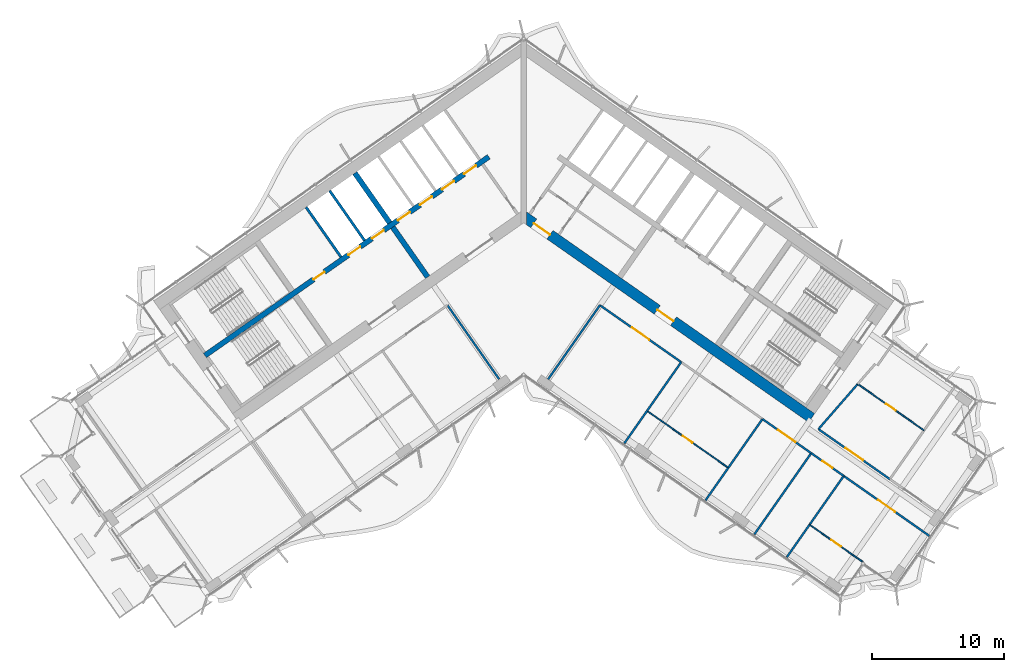
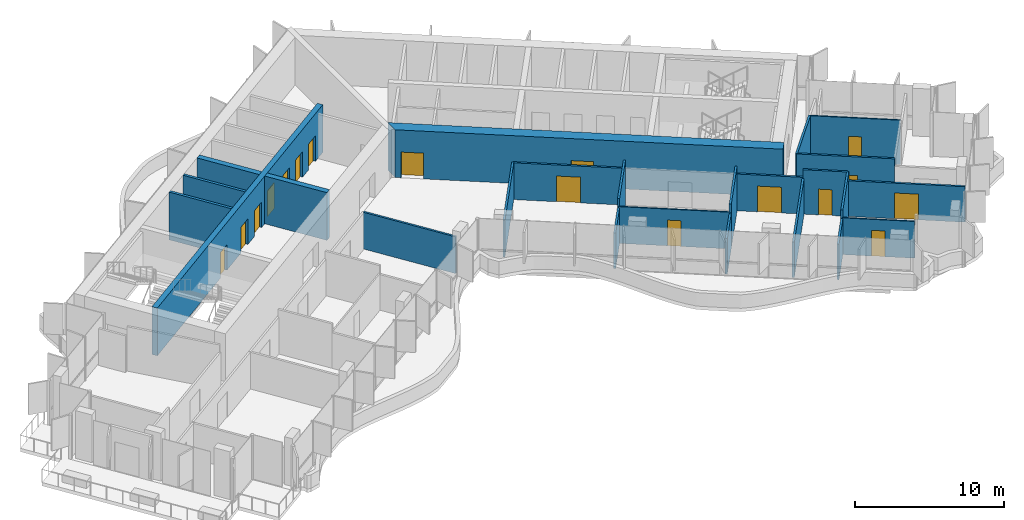
# One storey, part 13 of 22: 24 walls, 17 doors, 17 openings.
"""IFC4 building model written with IfcOpenShell, lengths in metres."""

from ifc_helpers import new_model, si_unit, direction, frame, frame_2d, origin, place, context, subcontext, project, spatial, polyline, rectangle, outline, extrude, material, layer, layer_set, type_object, element, fill, save


model = new_model("IFC4")

# Units and contexts
model_context = context("Model", 3, precision=1e-05, world=origin(), true_north=direction((0.0, 1.0)))
body_context = subcontext(model_context, "Body", "Model", "MODEL_VIEW")
ifc_project = project(units=[si_unit("LENGTHUNIT", "METRE"), si_unit("AREAUNIT", "SQUARE_METRE"), si_unit("VOLUMEUNIT", "CUBIC_METRE"), si_unit("PLANEANGLEUNIT", "RADIAN"), si_unit("MASSUNIT", "GRAM", prefix="KILO")], contexts=[model_context])

# Site, building, storey
site_placement = place(None, origin())
site = spatial("IfcSite", under=ifc_project, at=site_placement, CompositionType="ELEMENT")
building_placement = place(site_placement, origin())
building = spatial("IfcBuilding", under=site, at=building_placement, Name="Tel Ilan Convention Tower", CompositionType="ELEMENT")
storey_placement = place(building_placement, frame((0.0, 0.0, 202.199951171875)))
storey = spatial("IfcBuildingStorey", under=building, at=storey_placement, Name="L47", CompositionType="ELEMENT", Elevation=202.199951171875)

# Walls
ifc_material_1 = material(Name="Concrete C50/60", Category="concrete")
ifc_layer_1 = layer(ifc_material_1, 0.39990234375)
ifc_layer_set_1 = layer_set([ifc_layer_1], Name="Core Shear Wall 400 mm C50/60")
wall_type_1 = type_object("IfcWallType", Name="Core Shear Wall 400 mm C50/60", PredefinedType="SHEAR", material=ifc_layer_set_1)
wall_1_placement = place(storey_placement, frame((-7.2578125, -5.325927734375, 0.0), z_axis=(0.0, 0.0, 1.0), x_axis=(-0.573540709186, 0.819177059558, 0.0)))
element("IfcWall", 1, at=wall_1_placement, inside=storey, type_object=wall_type_1, Name="L47 core wall W-cross1-1", PredefinedType="SHEAR", context=body_context, shape_type="SweptSolid", body=[
    extrude(outline(polyline([(4.599853515625, 0.2001953125), (-0.000244140625, 0.199951171875), (-0.000244140625, -0.2001953125), (4.599853515625, -0.199951171875), (4.599853515625, 0.2001953125)])), origin(), (0.0, 0.0, 1.0), 3.900146484375),
])
wall_2_placement = place(storey_placement, frame((-10.12548828125, -1.230224609375, 0.0), z_axis=(0.0, 0.0, 1.0), x_axis=(-0.573576324356, 0.819152122709, 0.0)))
element("IfcWall", 2, at=wall_2_placement, inside=storey, type_object=wall_type_1, Name="L47 core wall W-cross1-2", PredefinedType="SHEAR", context=body_context, shape_type="SweptSolid", body=[
    extrude(outline(polyline([(4.60009765625, -0.199951171875), (4.599853515625, 0.199951171875), (0.0, 0.2001953125), (0.0, -0.199951171875), (4.60009765625, -0.199951171875)])), origin(), (0.0, 0.0, 1.0), 3.900146484375),
])

# Wall, openings, doors
wall_3_placement = place(storey_placement, frame((-2.638427734375, 3.76806640625, 0.0), z_axis=(0.0, 0.0, 1.0), x_axis=(-0.81915267502, -0.573575535572, 0.0)))
wall_3 = element("IfcWall", 3, at=wall_3_placement, inside=storey, type_object=wall_type_1, Name="L47 core wall W-spine", PredefinedType="SHEAR", context=body_context, shape_type="SweptSolid", body=[
    extrude(outline(polyline([(26.199951171875, 0.199951171875), (0.0, 0.199951171875), (0.0, -0.199951171875), (26.199951171875, -0.199951171875), (26.199951171875, 0.199951171875)])), origin(), (0.0, 0.0, 1.0), 3.900146484375),
])
opening_1_placement = place(wall_3_placement, frame((1.168701171875, 0.0, 0.0)))
opening_1 = element("IfcOpeningElement", 4, at=opening_1_placement, cuts=wall_3, Name="Opening LD3704", PredefinedType="OPENING", context=body_context, shape_type="SweptSolid", body=[
    extrude(rectangle(XDim=1.10009765625, YDim=2.10009765625, at=frame_2d((0.550048828125, 1.050048828125))), frame((0.0, 0.2099609375, 0.0), z_axis=(0.0, -1.0, 0.0), x_axis=(1.0, 0.0, 0.0)), (0.0, 0.0, 1.0), 0.419921875),
])
opening_2_placement = place(wall_3_placement, frame((3.206298828125, 0.0, 0.0)))
opening_2 = element("IfcOpeningElement", 5, at=opening_2_placement, cuts=wall_3, Name="Opening LD3705", PredefinedType="OPENING", context=body_context, shape_type="SweptSolid", body=[
    extrude(rectangle(XDim=1.10009765625, YDim=2.10009765625, at=frame_2d((0.550048828125, 1.050048828125))), frame((0.0, 0.2099609375, 0.0), z_axis=(0.0, -1.0, 0.0), x_axis=(1.0, 0.0, 0.0)), (0.0, 0.0, 1.0), 0.419921875),
])
opening_3_placement = place(wall_3_placement, frame((5.24365234375, 0.0, 0.0)))
opening_3 = element("IfcOpeningElement", 6, at=opening_3_placement, cuts=wall_3, Name="Opening LD3706", PredefinedType="OPENING", context=body_context, shape_type="SweptSolid", body=[
    extrude(rectangle(XDim=1.10009765625, YDim=2.10009765625, at=frame_2d((0.550048828125, 1.050048828125))), frame((0.0, 0.2099609375, 0.0), z_axis=(0.0, -1.0, 0.0), x_axis=(1.0, 0.0, 0.0)), (0.0, 0.0, 1.0), 0.419921875),
])
opening_4_placement = place(wall_3_placement, frame((7.28125, 0.0, 0.0)))
opening_4 = element("IfcOpeningElement", 7, at=opening_4_placement, cuts=wall_3, Name="Opening LD3707", PredefinedType="OPENING", context=body_context, shape_type="SweptSolid", body=[
    extrude(rectangle(XDim=1.10009765625, YDim=2.10009765625, at=frame_2d((0.550048828125, 1.050048828125))), frame((0.0, 0.2099609375, 0.0), z_axis=(0.0, -1.0, 0.0), x_axis=(1.0, 0.0, 0.0)), (0.0, 0.0, 1.0), 0.419921875),
])
opening_5_placement = place(wall_3_placement, frame((9.6875, 0.0, 0.0)))
opening_5 = element("IfcOpeningElement", 8, at=opening_5_placement, cuts=wall_3, Name="Opening LD3708", PredefinedType="OPENING", context=body_context, shape_type="SweptSolid", body=[
    extrude(rectangle(XDim=1.10009765625, YDim=2.10009765625, at=frame_2d((0.550048828125, 1.050048828125))), frame((0.0, 0.2099609375, 0.0), z_axis=(0.0, -1.0, 0.0), x_axis=(1.0, 0.0, 0.0)), (0.0, 0.0, 1.0), 0.419921875),
])
opening_6_placement = place(wall_3_placement, frame((11.862548828125, 0.0, 0.0)))
opening_6 = element("IfcOpeningElement", 9, at=opening_6_placement, cuts=wall_3, Name="Opening LD3709", PredefinedType="OPENING", context=body_context, shape_type="SweptSolid", body=[
    extrude(rectangle(XDim=1.10009765625, YDim=2.10009765625, at=frame_2d((0.550048828125, 1.050048828125))), frame((0.0, 0.2099609375, 0.0), z_axis=(0.0, -1.0, 0.0), x_axis=(1.0, 0.0, 0.0)), (0.0, 0.0, 1.0), 0.419921875),
])
opening_7_placement = place(wall_3_placement, frame((15.175048828125, 0.0, 0.0)))
opening_7 = element("IfcOpeningElement", 10, at=opening_7_placement, cuts=wall_3, Name="Opening CD3708", PredefinedType="OPENING", context=body_context, shape_type="SweptSolid", body=[
    extrude(rectangle(XDim=1.0, YDim=2.10009765625, at=frame_2d((0.5, 1.050048828125))), frame((0.0, 0.2099609375, 0.0), z_axis=(0.0, -1.0, 0.0), x_axis=(1.0, 0.0, 0.0)), (0.0, 0.0, 1.0), 0.419921875),
])
ifc_material_2 = material(Name="Stainless Steel Sliding Door Leaf", Category="steel")
door_type_1 = type_object("IfcDoorType", Name="Lift Landing Door 1100 x 2100 FD120", OperationType="NOTDEFINED", PredefinedType="DOOR", material=ifc_material_2)
door_1_placement = place(opening_1_placement, origin())
door_1 = element("IfcDoor", 11, at=door_1_placement, inside=storey, type_object=door_type_1, Name="Lift LR1 landing door", OperationType="SLIDING_TO_LEFT", OverallHeight=2.10009765625, OverallWidth=1.10009765625, PredefinedType="DOOR", context=body_context, shape_type="SweptSolid", body=[
    extrude(rectangle(XDim=1.10009765625, YDim=2.10009765625, at=frame_2d((0.550048828125, 1.050048828125))), frame((0.0, 0.02490234375, 0.0), z_axis=(0.0, -1.0, 0.0), x_axis=(1.0, 0.0, 0.0)), (0.0, 0.0, 1.0), 0.050048828125),
])
fill(opening_1, door_1)
door_2_placement = place(opening_2_placement, origin())
door_2 = element("IfcDoor", 12, at=door_2_placement, inside=storey, type_object=door_type_1, Name="Lift LR2 landing door", OperationType="SLIDING_TO_RIGHT", OverallHeight=2.10009765625, OverallWidth=1.10009765625, PredefinedType="DOOR", context=body_context, shape_type="SweptSolid", body=[
    extrude(rectangle(XDim=1.10009765625, YDim=2.10009765625, at=frame_2d((0.550048828125, 1.050048828125))), frame((0.0, 0.02490234375, 0.0), z_axis=(0.0, -1.0, 0.0), x_axis=(1.0, 0.0, 0.0)), (0.0, 0.0, 1.0), 0.050048828125),
])
fill(opening_2, door_2)
door_3_placement = place(opening_3_placement, origin())
door_3 = element("IfcDoor", 13, at=door_3_placement, inside=storey, type_object=door_type_1, Name="Lift LR3 landing door", OperationType="SLIDING_TO_LEFT", OverallHeight=2.10009765625, OverallWidth=1.10009765625, PredefinedType="DOOR", context=body_context, shape_type="SweptSolid", body=[
    extrude(rectangle(XDim=1.10009765625, YDim=2.10009765625, at=frame_2d((0.550048828125, 1.050048828125))), frame((0.0, 0.02490234375, 0.0), z_axis=(0.0, -1.0, 0.0), x_axis=(1.0, 0.0, 0.0)), (0.0, 0.0, 1.0), 0.050048828125),
])
fill(opening_3, door_3)
door_4_placement = place(opening_4_placement, origin())
door_4 = element("IfcDoor", 14, at=door_4_placement, inside=storey, type_object=door_type_1, Name="Lift LR4 landing door", OperationType="SLIDING_TO_RIGHT", OverallHeight=2.10009765625, OverallWidth=1.10009765625, PredefinedType="DOOR", context=body_context, shape_type="SweptSolid", body=[
    extrude(rectangle(XDim=1.10009765625, YDim=2.10009765625, at=frame_2d((0.550048828125, 1.050048828125))), frame((0.0, 0.02490234375, 0.0), z_axis=(0.0, -1.0, 0.0), x_axis=(1.0, 0.0, 0.0)), (0.0, 0.0, 1.0), 0.050048828125),
])
fill(opening_4, door_4)
door_5_placement = place(opening_5_placement, origin())
door_5 = element("IfcDoor", 15, at=door_5_placement, inside=storey, type_object=door_type_1, Name="Lift LR5 landing door", OperationType="SLIDING_TO_LEFT", OverallHeight=2.10009765625, OverallWidth=1.10009765625, PredefinedType="DOOR", context=body_context, shape_type="SweptSolid", body=[
    extrude(rectangle(XDim=1.10009765625, YDim=2.10009765625, at=frame_2d((0.550048828125, 1.050048828125))), frame((0.0, 0.02490234375, 0.0), z_axis=(0.0, -1.0, 0.0), x_axis=(1.0, 0.0, 0.0)), (0.0, 0.0, 1.0), 0.050048828125),
])
fill(opening_5, door_5)
door_6_placement = place(opening_6_placement, origin())
door_6 = element("IfcDoor", 16, at=door_6_placement, inside=storey, type_object=door_type_1, Name="Lift LR6 landing door", OperationType="SLIDING_TO_RIGHT", OverallHeight=2.10009765625, OverallWidth=1.10009765625, PredefinedType="DOOR", context=body_context, shape_type="SweptSolid", body=[
    extrude(rectangle(XDim=1.10009765625, YDim=2.10009765625, at=frame_2d((0.550048828125, 1.050048828125))), frame((0.0, 0.02490234375, 0.0), z_axis=(0.0, -1.0, 0.0), x_axis=(1.0, 0.0, 0.0)), (0.0, 0.0, 1.0), 0.050048828125),
])
fill(opening_6, door_6)
ifc_material_3 = material(Name="Galvanised Steel Door Leaf", Category="steel")
door_type_2 = type_object("IfcDoorType", Name="Service Room Door 1000 x 2100 FD60", OperationType="NOTDEFINED", PredefinedType="DOOR", material=ifc_material_3)
door_7_placement = place(opening_7_placement, origin())
door_7 = element("IfcDoor", 17, at=door_7_placement, inside=storey, type_object=door_type_2, Name="Plant Room door", OperationType="SINGLE_SWING_RIGHT", OverallHeight=2.10009765625, OverallWidth=1.0, PredefinedType="DOOR", context=body_context, shape_type="SweptSolid", body=[
    extrude(rectangle(XDim=1.0, YDim=2.10009765625, at=frame_2d((0.5, 1.050048828125))), frame((0.0, 0.02490234375, 0.0), z_axis=(0.0, -1.0, 0.0), x_axis=(1.0, 0.0, 0.0)), (0.0, 0.0, 1.0), 0.050048828125),
])
fill(opening_7, door_7)

ifc_material_4 = material(Name="Concrete C50/60", Category="concrete")
ifc_layer_2 = layer(ifc_material_4, 0.800048828125)
ifc_layer_set_2 = layer_set([ifc_layer_2], Name="Core Shear Wall 800 mm C50/60")
wall_type_2 = type_object("IfcWallType", Name="Core Shear Wall 800 mm C50/60", PredefinedType="SHEAR", material=ifc_layer_set_2)
wall_4_placement = place(storey_placement, frame((-0.029296875, -0.7119140625, 0.0), z_axis=(0.0, 0.0, 1.0), x_axis=(0.819151758019, -0.573576845187, 0.0)))
wall_4 = element("IfcWall", 18, at=wall_4_placement, inside=storey, type_object=wall_type_2, Name="L47 core wall E-front", PredefinedType="SHEAR", context=body_context, shape_type="SweptSolid", body=[
    extrude(outline(polyline([(26.61572265625, 0.39990234375), (-0.000244140625, 0.39990234375), (0.56005859375, -0.39990234375), (26.61572265625, -0.39990234375), (26.61572265625, 0.39990234375)])), origin(), (0.0, 0.0, 1.0), 3.900146484375),
])
opening_8_placement = place(wall_4_placement, frame((0.9658203125, 0.0, 0.0)))
opening_8 = element("IfcOpeningElement", 19, at=opening_8_placement, cuts=wall_4, Name="Opening CD3703", PredefinedType="OPENING", context=body_context, shape_type="SweptSolid", body=[
    extrude(rectangle(XDim=1.5, YDim=2.10009765625, at=frame_2d((0.75, 1.050048828125))), frame((0.0, 0.409912109375, 0.0), z_axis=(0.0, -1.0, 0.0), x_axis=(1.0, 0.0, 0.0)), (0.0, 0.0, 1.0), 0.820068359375),
])
opening_9_placement = place(wall_4_placement, frame((12.36572265625, 0.0, 0.0)))
opening_9 = element("IfcOpeningElement", 20, at=opening_9_placement, cuts=wall_4, Name="Opening CD3704", PredefinedType="OPENING", context=body_context, shape_type="SweptSolid", body=[
    extrude(rectangle(XDim=1.5, YDim=2.10009765625, at=frame_2d((0.75, 1.050048828125))), frame((0.0, 0.409912109375, 0.0), z_axis=(0.0, -1.0, 0.0), x_axis=(1.0, 0.0, 0.0)), (0.0, 0.0, 1.0), 0.820068359375),
])
ifc_material_5 = material(Name="Glazed Aluminium Door Leaf", Category="aluminium")
door_type_3 = type_object("IfcDoorType", Name="Lobby Opening Door 1500 x 2100 FD60S", OperationType="NOTDEFINED", PredefinedType="DOOR", material=ifc_material_5)
door_8_placement = place(opening_9_placement, origin())
door_8 = element("IfcDoor", 21, at=door_8_placement, inside=storey, type_object=door_type_3, Name="Firefighting Lobby door", OperationType="DOUBLE_DOOR_SINGLE_SWING", OverallHeight=2.10009765625, OverallWidth=1.5, PredefinedType="DOOR", context=body_context, shape_type="SweptSolid", body=[
    extrude(rectangle(XDim=1.5, YDim=2.10009765625, at=frame_2d((0.75, 1.050048828125))), frame((0.0, 0.02490234375, 0.0), z_axis=(0.0, -1.0, 0.0), x_axis=(1.0, 0.0, 0.0)), (0.0, 0.0, 1.0), 0.050048828125),
])
fill(opening_9, door_8)
ifc_material_6 = material(Name="Laminated Timber Door Leaf", Category="wood")
door_type_4 = type_object("IfcDoorType", Name="Toilet Door 1500 x 2100 FD30S", OperationType="NOTDEFINED", PredefinedType="DOOR", material=ifc_material_6)
door_9_placement = place(opening_8_placement, origin())
door_9 = element("IfcDoor", 22, at=door_9_placement, inside=storey, type_object=door_type_4, Name="WC Lobby door", OperationType="SINGLE_SWING_RIGHT", OverallHeight=2.10009765625, OverallWidth=1.5, PredefinedType="DOOR", context=body_context, shape_type="SweptSolid", body=[
    extrude(rectangle(XDim=1.5, YDim=2.10009765625, at=frame_2d((0.75, 1.050048828125))), frame((0.0, 0.02490234375, 0.0), z_axis=(0.0, -1.0, 0.0), x_axis=(1.0, 0.0, 0.0)), (0.0, 0.0, 1.0), 0.050048828125),
])
fill(opening_8, door_9)

# Wall, opening, door
ifc_material_7 = material(Name="Plasterboard on Steel Studs", Category="steel")
ifc_layer_3 = layer(ifc_material_7, 0.14990234375)
ifc_layer_set_3 = layer_set([ifc_layer_3], Name="Fire-rated Partition 150 EI 60")
wall_type_3 = type_object("IfcWallType", Name="Fire-rated Partition 150 EI 60", PredefinedType="PARTITIONING", material=ifc_layer_set_3)
wall_5_placement = place(storey_placement, frame((22.283203125, -16.82373046875, 0.0), z_axis=(0.0, 0.0, 1.0), x_axis=(0.819157174053, -0.573569110219, 0.0)))
wall_5 = element("IfcWall", 23, at=wall_5_placement, inside=storey, type_object=wall_type_3, Name="Partition 001", PredefinedType="PARTITIONING", context=body_context, shape_type="SweptSolid", body=[
    extrude(rectangle(XDim=6.598876953125, YDim=0.14990234375, at=frame_2d((3.29931640625, 0.0))), origin(), (0.0, 0.0, 1.0), 3.6201171875),
])
opening_10_placement = place(wall_5_placement, frame((2.49951171875, 0.0, 0.0)))
opening_10 = element("IfcOpeningElement", 24, at=opening_10_placement, cuts=wall_5, Name="Opening L47-016", PredefinedType="OPENING", context=body_context, shape_type="SweptSolid", body=[
    extrude(rectangle(XDim=1.60009765625, YDim=2.10009765625, at=frame_2d((0.800048828125, 1.050048828125))), frame((0.0, 0.0849609375, 0.0), z_axis=(0.0, -1.0, 0.0), x_axis=(1.0, 0.0, 0.0)), (0.0, 0.0, 1.0), 0.169921875),
])
ifc_material_8 = material(Name="Timber Door Leaf in Steel Frame", Category="steel")
door_type_5 = type_object("IfcDoorType", Name="Tenant Suite Entrance Fire Door 1600x2100", OperationType="NOTDEFINED", PredefinedType="DOOR", material=ifc_material_8)
door_10_placement = place(opening_10_placement, origin())
door_10 = element("IfcDoor", 25, at=door_10_placement, inside=storey, type_object=door_type_5, Name="Door L47-016", OperationType="DOUBLE_DOOR_SINGLE_SWING", OverallHeight=2.10009765625, OverallWidth=1.60009765625, PredefinedType="DOOR", context=body_context, shape_type="SweptSolid", body=[
    extrude(rectangle(XDim=1.60009765625, YDim=2.10009765625, at=frame_2d((0.800048828125, 1.050048828125))), frame((0.0, 0.02490234375, 0.0), z_axis=(0.0, -1.0, 0.0), x_axis=(1.0, 0.0, 0.0)), (0.0, 0.0, 1.0), 0.050048828125),
])
fill(opening_10, door_10)

wall_6_placement = place(storey_placement, frame((11.91162109375, -11.7587890625, 0.0), z_axis=(0.0, 0.0, 1.0), x_axis=(-0.819150881364, 0.573578097177, 0.0)))
wall_6 = element("IfcWall", 26, at=wall_6_placement, inside=storey, type_object=wall_type_3, Name="Partition 003", PredefinedType="PARTITIONING", context=body_context, shape_type="SweptSolid", body=[
    extrude(rectangle(XDim=7.501953125, YDim=0.14990234375, at=frame_2d((3.7509765625, 0.0))), origin(), (0.0, 0.0, 1.0), 3.0),
])
opening_11_placement = place(wall_6_placement, frame((2.950927734375, 0.0, 0.0)))
opening_11 = element("IfcOpeningElement", 27, at=opening_11_placement, cuts=wall_6, Name="Opening L47-009", PredefinedType="OPENING", context=body_context, shape_type="SweptSolid", body=[
    extrude(rectangle(XDim=1.60009765625, YDim=2.10009765625, at=frame_2d((0.800048828125, 1.050048828125))), frame((0.0, 0.0849609375, 0.0), z_axis=(0.0, -1.0, 0.0), x_axis=(1.0, 0.0, 0.0)), (0.0, 0.0, 1.0), 0.169921875),
])
door_11_placement = place(opening_11_placement, origin())
door_11 = element("IfcDoor", 28, at=door_11_placement, inside=storey, type_object=door_type_5, Name="Door L47-009", OperationType="DOUBLE_DOOR_SINGLE_SWING", OverallHeight=2.10009765625, OverallWidth=1.60009765625, PredefinedType="DOOR", context=body_context, shape_type="SweptSolid", body=[
    extrude(rectangle(XDim=1.60009765625, YDim=2.10009765625, at=frame_2d((0.800048828125, 1.050048828125))), frame((0.0, 0.02490234375, 0.0), z_axis=(0.0, -1.0, 0.0), x_axis=(1.0, 0.0, 0.0)), (0.0, 0.0, 1.0), 0.050048828125),
])
fill(opening_11, door_11)

wall_7_placement = place(storey_placement, frame((21.741455078125, -18.6416015625, 0.0), z_axis=(0.0, 0.0, 1.0), x_axis=(-0.819165703328, 0.573556928727, 0.0)))
wall_7 = element("IfcWall", 29, at=wall_7_placement, inside=storey, type_object=wall_type_3, Name="Partition 005", PredefinedType="PARTITIONING", context=body_context, shape_type="SweptSolid", body=[
    extrude(rectangle(XDim=4.50390625, YDim=0.14990234375, at=frame_2d((2.251953125, 0.0))), origin(), (0.0, 0.0, 1.0), 3.0),
])
opening_12_placement = place(wall_7_placement, frame((1.451904296875, 0.0, 0.0)))
opening_12 = element("IfcOpeningElement", 30, at=opening_12_placement, cuts=wall_7, Name="Opening L47-012", PredefinedType="OPENING", context=body_context, shape_type="SweptSolid", body=[
    extrude(rectangle(XDim=1.60009765625, YDim=2.10009765625, at=frame_2d((0.800048828125, 1.050048828125))), frame((0.0, 0.0849609375, 0.0), z_axis=(0.0, -1.0, 0.0), x_axis=(1.0, 0.0, 0.0)), (0.0, 0.0, 1.0), 0.169921875),
])
door_12_placement = place(opening_12_placement, origin())
door_12 = element("IfcDoor", 31, at=door_12_placement, inside=storey, type_object=door_type_5, Name="Door L47-012", OperationType="DOUBLE_DOOR_SINGLE_SWING", OverallHeight=2.10009765625, OverallWidth=1.60009765625, PredefinedType="DOOR", context=body_context, shape_type="SweptSolid", body=[
    extrude(rectangle(XDim=1.60009765625, YDim=2.10009765625, at=frame_2d((0.800048828125, 1.050048828125))), frame((0.0, 0.02490234375, 0.0), z_axis=(0.0, -1.0, 0.0), x_axis=(1.0, 0.0, 0.0)), (0.0, 0.0, 1.0), 0.050048828125),
])
fill(opening_12, door_12)

wall_8_placement = place(storey_placement, frame((24.198974609375, -20.3623046875, 0.0), z_axis=(0.0, 0.0, 1.0), x_axis=(-0.81916700466, 0.573555070134, 0.0)))
wall_8 = element("IfcWall", 32, at=wall_8_placement, inside=storey, type_object=wall_type_3, Name="Partition 006", PredefinedType="PARTITIONING", context=body_context, shape_type="SweptSolid", body=[
    extrude(rectangle(XDim=3.00390625, YDim=0.14990234375, at=frame_2d((1.501953125, 0.0))), origin(), (0.0, 0.0, 1.0), 3.6201171875),
])
opening_13_placement = place(wall_8_placement, frame((1.052001953125, 0.0, 0.0)))
opening_13 = element("IfcOpeningElement", 33, at=opening_13_placement, cuts=wall_8, Name="Opening L47-013", PredefinedType="OPENING", context=body_context, shape_type="SweptSolid", body=[
    extrude(rectangle(XDim=0.89990234375, YDim=2.10009765625, at=frame_2d((0.449951171875, 1.050048828125))), frame((0.0, 0.0849609375, 0.0), z_axis=(0.0, -1.0, 0.0), x_axis=(1.0, 0.0, 0.0)), (0.0, 0.0, 1.0), 0.169921875),
])
ifc_material_9 = material(Name="Timber Door Leaf in Steel Frame", Category="steel")
door_type_6 = type_object("IfcDoorType", Name="Room Fire Door 900x2100", OperationType="NOTDEFINED", PredefinedType="DOOR", material=ifc_material_9)
door_13_placement = place(opening_13_placement, origin())
door_13 = element("IfcDoor", 34, at=door_13_placement, inside=storey, type_object=door_type_6, Name="Door L47-013", OperationType="SINGLE_SWING_RIGHT", OverallHeight=2.10009765625, OverallWidth=0.89990234375, PredefinedType="DOOR", context=body_context, shape_type="SweptSolid", body=[
    extrude(rectangle(XDim=0.89990234375, YDim=2.10009765625, at=frame_2d((0.449951171875, 1.050048828125))), frame((0.0, 0.02490234375, 0.0), z_axis=(0.0, -1.0, 0.0), x_axis=(1.0, 0.0, 0.0)), (0.0, 0.0, 1.0), 0.050048828125),
])
fill(opening_13, door_13)

wall_9_placement = place(storey_placement, frame((30.668701171875, -24.892578125, 0.0), z_axis=(0.0, 0.0, 1.0), x_axis=(-0.8191564378, 0.573570161716, 0.0)))
wall_9 = element("IfcWall", 35, at=wall_9_placement, inside=storey, type_object=wall_type_3, Name="Partition 007", PredefinedType="PARTITIONING", context=body_context, shape_type="SweptSolid", body=[
    extrude(rectangle(XDim=7.902099609375, YDim=0.14990234375, at=frame_2d((3.951171875, 0.0))), origin(), (0.0, 0.0, 1.0), 2.900146484375),
])
opening_14_placement = place(wall_9_placement, frame((3.15087890625, 0.0, 0.0)))
opening_14 = element("IfcOpeningElement", 36, at=opening_14_placement, cuts=wall_9, Name="Opening L47-014", PredefinedType="OPENING", context=body_context, shape_type="SweptSolid", body=[
    extrude(rectangle(XDim=1.60009765625, YDim=2.10009765625, at=frame_2d((0.800048828125, 1.050048828125))), frame((0.0, 0.0849609375, 0.0), z_axis=(0.0, -1.0, 0.0), x_axis=(1.0, 0.0, 0.0)), (0.0, 0.0, 1.0), 0.169921875),
])
door_14_placement = place(opening_14_placement, origin())
door_14 = element("IfcDoor", 37, at=door_14_placement, inside=storey, type_object=door_type_5, Name="Door L47-014", OperationType="DOUBLE_DOOR_SINGLE_SWING", OverallHeight=2.10009765625, OverallWidth=1.60009765625, PredefinedType="DOOR", context=body_context, shape_type="SweptSolid", body=[
    extrude(rectangle(XDim=1.60009765625, YDim=2.10009765625, at=frame_2d((0.800048828125, 1.050048828125))), frame((0.0, 0.02490234375, 0.0), z_axis=(0.0, -1.0, 0.0), x_axis=(1.0, 0.0, 0.0)), (0.0, 0.0, 1.0), 0.050048828125),
])
fill(opening_14, door_14)

# Walls
wall_10_placement = place(storey_placement, frame((22.284912109375, -16.82470703125, 0.0), z_axis=(0.0, 0.0, 1.0), x_axis=(0.656764910052, 0.754095387152, 0.0)))
element("IfcWall", 38, at=wall_10_placement, inside=storey, type_object=wall_type_3, Name="Partition 020", PredefinedType="PARTITIONING", context=body_context, shape_type="SweptSolid", body=[
    extrude(rectangle(XDim=4.525146484375, YDim=0.14990234375, at=frame_2d((2.2626953125, 0.0))), origin(), (0.0, 0.0, 1.0), 3.6201171875),
])
wall_11_placement = place(storey_placement, frame((9.32958984375, -15.443115234375, 0.0), z_axis=(0.0, 0.0, 1.0), x_axis=(-0.573609750632, -0.819128716369, 0.0)))
element("IfcWall", 39, at=wall_11_placement, inside=storey, type_object=wall_type_3, Name="Partition 021", PredefinedType="PARTITIONING", context=body_context, shape_type="SweptSolid", body=[
    extrude(rectangle(XDim=3.0009765625, YDim=0.14990234375, at=frame_2d((1.50048828125, 0.0))), origin(), (0.0, 0.0, 1.0), 2.900146484375),
])
wall_12_placement = place(storey_placement, frame((11.909912109375, -11.757568359375, 0.0), z_axis=(0.0, 0.0, 1.0), x_axis=(-0.573527854296, -0.819186059663, 0.0)))
element("IfcWall", 40, at=wall_12_placement, inside=storey, type_object=wall_type_3, Name="Partition 022", PredefinedType="PARTITIONING", context=body_context, shape_type="SweptSolid", body=[
    extrude(rectangle(XDim=4.501953125, YDim=0.14990234375, at=frame_2d((2.2509765625, 0.0))), origin(), (0.0, 0.0, 1.0), 3.6201171875),
])
wall_13_placement = place(storey_placement, frame((1.848876953125, -13.050537109375, 0.0), z_axis=(0.0, 0.0, 1.0), x_axis=(0.573577493031, 0.819151304393, 0.0)))
element("IfcWall", 41, at=wall_13_placement, inside=storey, type_object=wall_type_3, Name="Partition 023", PredefinedType="PARTITIONING", context=body_context, shape_type="SweptSolid", body=[
    extrude(rectangle(XDim=6.829833984375, YDim=0.14990234375, at=frame_2d((3.4150390625, 0.0))), origin(), (0.0, 0.0, 1.0), 3.0),
])
wall_14_placement = place(storey_placement, frame((15.471923828125, -19.74658203125, 0.0), z_axis=(0.0, 0.0, 1.0), x_axis=(-0.573604390867, -0.819132469615, 0.0)))
element("IfcWall", 42, at=wall_14_placement, inside=storey, type_object=wall_type_3, Name="Partition 025", PredefinedType="PARTITIONING", context=body_context, shape_type="SweptSolid", body=[
    extrude(rectangle(XDim=2.9990234375, YDim=0.14990234375, at=frame_2d((1.49951171875, 0.0))), origin(), (0.0, 0.0, 1.0), 2.900146484375),
])
wall_15_placement = place(storey_placement, frame((18.0537109375, -16.0595703125, 0.0), z_axis=(0.0, 0.0, 1.0), x_axis=(-0.573622545156, -0.819119756622, 0.0)))
element("IfcWall", 43, at=wall_15_placement, inside=storey, type_object=wall_type_3, Name="Partition 026", PredefinedType="PARTITIONING", context=body_context, shape_type="SweptSolid", body=[
    extrude(rectangle(XDim=4.5, YDim=0.14990234375, at=frame_2d((2.25, 0.0))), origin(), (0.0, 0.0, 1.0), 3.6201171875),
])
wall_16_placement = place(storey_placement, frame((21.73974609375, -18.640625, 0.0), z_axis=(0.0, 0.0, 1.0), x_axis=(-0.573575945067, -0.81915238829, 0.0)))
element("IfcWall", 44, at=wall_16_placement, inside=storey, type_object=wall_type_3, Name="Partition 027", PredefinedType="PARTITIONING", context=body_context, shape_type="SweptSolid", body=[
    extrude(rectangle(XDim=7.5, YDim=0.14990234375, at=frame_2d((3.75, 0.0))), origin(), (0.0, 0.0, 1.0), 2.900146484375),
])
wall_17_placement = place(storey_placement, frame((21.61669921875, -24.046630859375, 0.0), z_axis=(0.0, 0.0, 1.0), x_axis=(-0.573555162214, -0.819166940189, 0.0)))
element("IfcWall", 45, at=wall_17_placement, inside=storey, type_object=wall_type_3, Name="Partition 028", PredefinedType="PARTITIONING", context=body_context, shape_type="SweptSolid", body=[
    extrude(rectangle(XDim=3.0009765625, YDim=0.14990234375, at=frame_2d((1.50048828125, 0.0))), origin(), (0.0, 0.0, 1.0), 2.900146484375),
])
wall_18_placement = place(storey_placement, frame((24.197265625, -20.361328125, 0.0), z_axis=(0.0, 0.0, 1.0), x_axis=(-0.573589723117, -0.819142740634, 0.0)))
element("IfcWall", 46, at=wall_18_placement, inside=storey, type_object=wall_type_3, Name="Partition 029", PredefinedType="PARTITIONING", context=body_context, shape_type="SweptSolid", body=[
    extrude(rectangle(XDim=4.501953125, YDim=0.14990234375, at=frame_2d((2.2509765625, 0.0))), origin(), (0.0, 0.0, 1.0), 3.6201171875),
])
wall_19_placement = place(storey_placement, frame((-1.848876953125, -13.050537109375, 0.0), z_axis=(0.0, 0.0, 1.0), x_axis=(-0.57357985571, 0.819149650018, 0.0)))
element("IfcWall", 47, at=wall_19_placement, inside=storey, type_object=wall_type_3, Name="Partition 031", PredefinedType="PARTITIONING", context=body_context, shape_type="SweptSolid", body=[
    extrude(rectangle(XDim=6.83203125, YDim=0.14990234375, at=frame_2d((3.416015625, 0.0))), origin(), (0.0, 0.0, 1.0), 3.0),
])
ifc_material_10 = material(Name="Concrete C30/37", Category="concrete")
ifc_layer_4 = layer(ifc_material_10, 0.199951171875)
ifc_layer_set_4 = layer_set([ifc_layer_4], Name="Lift Shaft Wall 200 mm C30/37")
wall_type_4 = type_object("IfcWallType", Name="Lift Shaft Wall 200 mm C30/37", PredefinedType="SOLIDWALL", material=ifc_layer_set_4)
for number, where, z_axis, x_axis, name in (
    (48, (-12.030029296875, -2.563720703125, 0.0), (0.0, 0.0, 1.0), (-0.573576324356, 0.819152122709, 0.0), "L47 core wall bank-W2-p0"),
    (49, (-13.811767578125, -3.811279296875, 0.0), (0.0, 0.0, 1.0), (-0.573576324356, 0.819152122709, 0.0), "L47 core wall bank-W2-p1"),
):
    element("IfcWall", number, at=place(storey_placement, frame(where, z_axis=z_axis, x_axis=x_axis)), inside=storey, type_object=wall_type_4, Name=name, PredefinedType="SOLIDWALL", context=body_context, shape_type="SweptSolid", body=[
        extrude(rectangle(XDim=4.599853515625, YDim=0.199951171875, at=frame_2d((2.2998046875, 0.0))), origin(), (0.0, 0.0, 1.0), 3.900146484375),
    ])

# Wall, opening, door
ifc_material_11 = material(Name="Plasterboard on Steel Studs", Category="steel")
ifc_layer_5 = layer(ifc_material_11, 0.10009765625)
ifc_layer_set_5 = layer_set([ifc_layer_5], Name="Plasterboard Partition 100")
wall_type_5 = type_object("IfcWallType", Name="Plasterboard Partition 100", PredefinedType="PARTITIONING", material=ifc_layer_set_5)
wall_20_placement = place(storey_placement, frame((25.257568359375, -13.41162109375, 0.0), z_axis=(0.0, 0.0, 1.0), x_axis=(0.819160668254, -0.573564119855, 0.0)))
wall_20 = element("IfcWall", 50, at=wall_20_placement, inside=storey, type_object=wall_type_5, Name="Partition 015", PredefinedType="PARTITIONING", context=body_context, shape_type="SweptSolid", body=[
    extrude(rectangle(XDim=6.117431640625, YDim=0.10009765625, at=frame_2d((3.05859375, 0.0))), origin(), (0.0, 0.0, 1.0), 3.6201171875),
])
opening_15_placement = place(wall_20_placement, frame((2.60888671875, 0.0, 0.0)))
opening_15 = element("IfcOpeningElement", 51, at=opening_15_placement, cuts=wall_20, Name="Opening L47-017", PredefinedType="OPENING", context=body_context, shape_type="SweptSolid", body=[
    extrude(rectangle(XDim=0.89990234375, YDim=2.10009765625, at=frame_2d((0.449951171875, 1.050048828125))), frame((0.0, 0.06005859375, 0.0), z_axis=(0.0, -1.0, 0.0), x_axis=(1.0, 0.0, 0.0)), (0.0, 0.0, 1.0), 0.1201171875),
])
ifc_material_12 = material(Name="Timber Door Leaf in Steel Frame", Category="steel")
door_type_7 = type_object("IfcDoorType", Name="Room Timber Door 900x2100", OperationType="NOTDEFINED", PredefinedType="DOOR", material=ifc_material_12)
door_15_placement = place(opening_15_placement, origin())
door_15 = element("IfcDoor", 52, at=door_15_placement, inside=storey, type_object=door_type_7, Name="Door L47-017", OperationType="SINGLE_SWING_RIGHT", OverallHeight=2.10009765625, OverallWidth=0.89990234375, PredefinedType="DOOR", context=body_context, shape_type="SweptSolid", body=[
    extrude(rectangle(XDim=0.89990234375, YDim=2.10009765625, at=frame_2d((0.449951171875, 1.050048828125))), frame((0.0, 0.02490234375, 0.0), z_axis=(0.0, -1.0, 0.0), x_axis=(1.0, 0.0, 0.0)), (0.0, 0.0, 1.0), 0.050048828125),
])
fill(opening_15, door_15)

wall_21_placement = place(storey_placement, frame((15.471923828125, -19.74658203125, 0.0), z_axis=(0.0, 0.0, 1.0), x_axis=(-0.819137093595, 0.573597787563, 0.0)))
wall_21 = element("IfcWall", 53, at=wall_21_placement, inside=storey, type_object=wall_type_5, Name="Partition 024", PredefinedType="PARTITIONING", context=body_context, shape_type="SweptSolid", body=[
    extrude(rectangle(XDim=7.5, YDim=0.10009765625, at=frame_2d((3.75, 0.0))), origin(), (0.0, 0.0, 1.0), 3.0),
])
opening_16_placement = place(wall_21_placement, frame((3.300048828125, 0.0, 0.0)))
opening_16 = element("IfcOpeningElement", 54, at=opening_16_placement, cuts=wall_21, Name="Opening L47-011", PredefinedType="OPENING", context=body_context, shape_type="SweptSolid", body=[
    extrude(rectangle(XDim=0.89990234375, YDim=2.10009765625, at=frame_2d((0.449951171875, 1.050048828125))), frame((0.0, 0.06005859375, 0.0), z_axis=(0.0, -1.0, 0.0), x_axis=(1.0, 0.0, 0.0)), (0.0, 0.0, 1.0), 0.1201171875),
])
door_16_placement = place(opening_16_placement, origin())
door_16 = element("IfcDoor", 55, at=door_16_placement, inside=storey, type_object=door_type_7, Name="Door L47-011", OperationType="SINGLE_SWING_LEFT", OverallHeight=2.10009765625, OverallWidth=0.89990234375, PredefinedType="DOOR", context=body_context, shape_type="SweptSolid", body=[
    extrude(rectangle(XDim=0.89990234375, YDim=2.10009765625, at=frame_2d((0.449951171875, 1.050048828125))), frame((0.0, 0.02490234375, 0.0), z_axis=(0.0, -1.0, 0.0), x_axis=(1.0, 0.0, 0.0)), (0.0, 0.0, 1.0), 0.050048828125),
])
fill(opening_16, door_16)

wall_22_placement = place(storey_placement, frame((25.62939453125, -26.85888671875, 0.0), z_axis=(0.0, 0.0, 1.0), x_axis=(-0.819154669329, 0.573572687386, 0.0)))
wall_22 = element("IfcWall", 56, at=wall_22_placement, inside=storey, type_object=wall_type_5, Name="Partition 030", PredefinedType="PARTITIONING", context=body_context, shape_type="SweptSolid", body=[
    extrude(rectangle(XDim=4.900146484375, YDim=0.10009765625, at=frame_2d((2.4501953125, 0.0))), origin(), (0.0, 0.0, 1.0), 3.0),
])
opening_17_placement = place(wall_22_placement, frame((2.0, 0.0, 0.0)))
opening_17 = element("IfcOpeningElement", 57, at=opening_17_placement, cuts=wall_22, Name="Opening L47-015", PredefinedType="OPENING", context=body_context, shape_type="SweptSolid", body=[
    extrude(rectangle(XDim=0.89990234375, YDim=2.10009765625, at=frame_2d((0.449951171875, 1.050048828125))), frame((0.0, 0.06005859375, 0.0), z_axis=(0.0, -1.0, 0.0), x_axis=(1.0, 0.0, 0.0)), (0.0, 0.0, 1.0), 0.1201171875),
])
door_17_placement = place(opening_17_placement, origin())
door_17 = element("IfcDoor", 58, at=door_17_placement, inside=storey, type_object=door_type_7, Name="Door L47-015", OperationType="SINGLE_SWING_RIGHT", OverallHeight=2.10009765625, OverallWidth=0.89990234375, PredefinedType="DOOR", context=body_context, shape_type="SweptSolid", body=[
    extrude(rectangle(XDim=0.89990234375, YDim=2.10009765625, at=frame_2d((0.449951171875, 1.050048828125))), frame((0.0, 0.02490234375, 0.0), z_axis=(0.0, -1.0, 0.0), x_axis=(1.0, 0.0, 0.0)), (0.0, 0.0, 1.0), 0.050048828125),
])
fill(opening_17, door_17)

save(model, "model.ifc")
